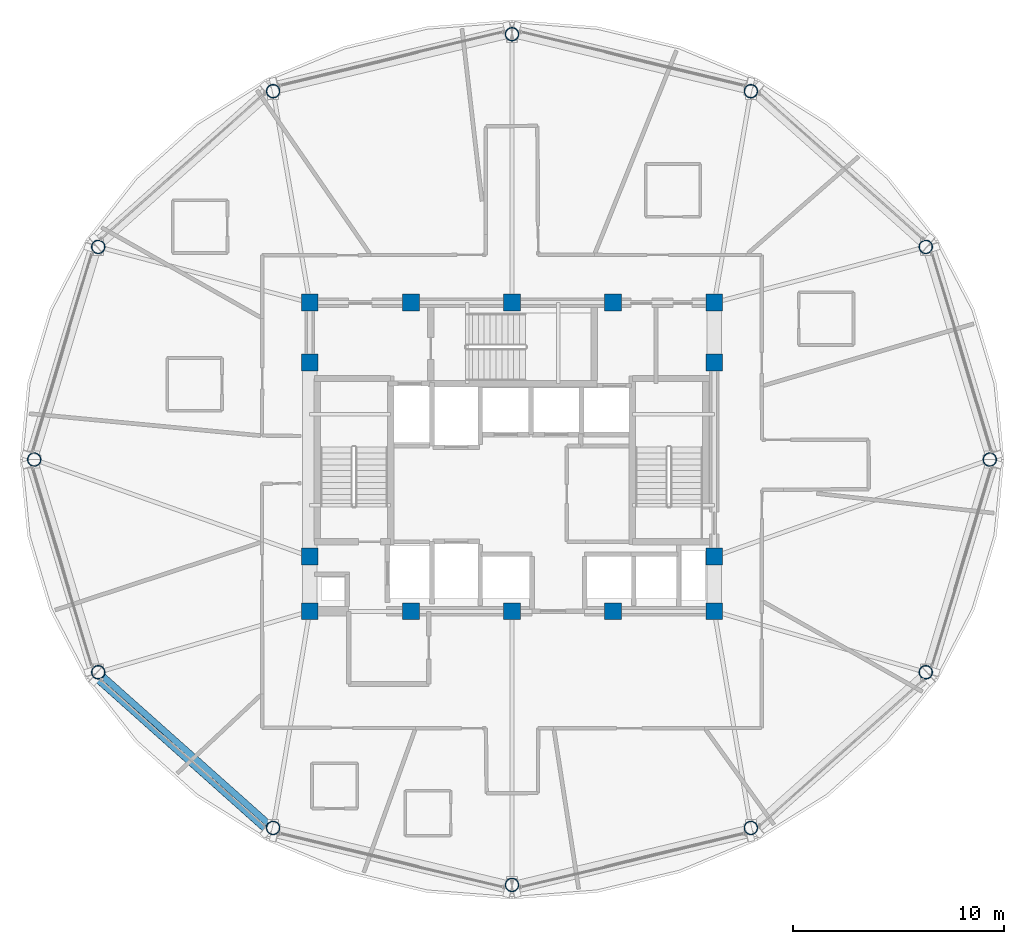
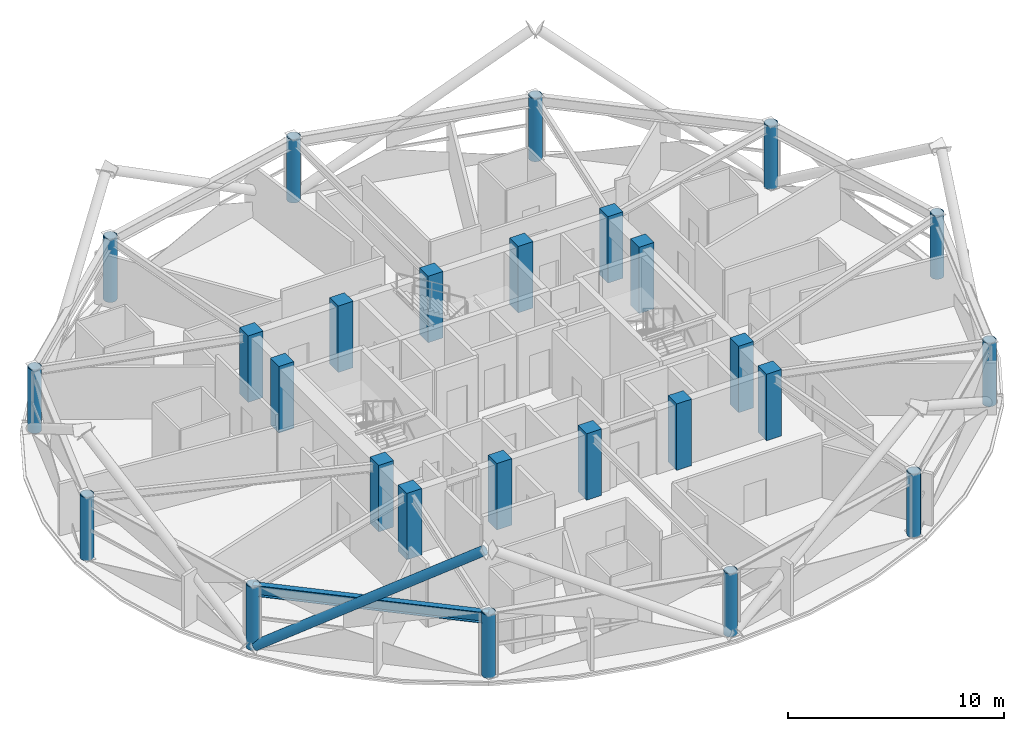
# One storey, part 1 of 30: 26 columns, 1 beam, 1 member.
"""IFC4 building model written with IfcOpenShell, lengths in metres."""

from ifc_helpers import new_model, si_unit, direction, frame, origin, origin_2d, place, context, subcontext, project, spatial, rectangle, hollow_circle, i_section, extrude, material, material_profile, profile_set, type_object, element, save


model = new_model("IFC4")

# Units and contexts
model_context = context("Model", 3, precision=1e-05, world=origin(), true_north=direction((0.0, 1.0)))
body_context = subcontext(model_context, "Body", "Model", "MODEL_VIEW")
ifc_project = project(units=[si_unit("LENGTHUNIT", "METRE"), si_unit("AREAUNIT", "SQUARE_METRE"), si_unit("VOLUMEUNIT", "CUBIC_METRE"), si_unit("PLANEANGLEUNIT", "RADIAN"), si_unit("MASSUNIT", "GRAM", prefix="KILO")], contexts=[model_context])

# Site, building, storey
site_placement = place(None, origin())
site = spatial("IfcSite", under=ifc_project, at=site_placement, CompositionType="ELEMENT")
building_placement = place(site_placement, origin())
building = spatial("IfcBuilding", under=site, at=building_placement, Name="Vantalir Tower", CompositionType="ELEMENT")
storey_placement = place(building_placement, frame((0.0, 0.0, 189.89990234375)))
storey = spatial("IfcBuildingStorey", under=building, at=storey_placement, Name="L47", CompositionType="ELEMENT", Elevation=189.89990234375)

# Columns
ifc_material_1 = material(Name="Concrete C50/60", Category="concrete")
ifc_material_profile_1 = material_profile(ifc_material_1, rectangle(XDim=0.800048828125, YDim=0.800048828125, at=origin_2d()), Name="Concrete C50/60")
ifc_profile_set_1 = profile_set([ifc_material_profile_1], Name="Concrete C50/60")
column_type_1 = type_object("IfcColumnType", Name="COL-CC-800", PredefinedType="COLUMN", material=ifc_profile_set_1)
for number, where, z_axis, x_axis, name in (
    (1, (21.89990234375, 17.800048828125, 0.0), (0.0, 0.0, 1.0), (1.0, 0.0, 0.0), "L47 Core Column CC01"),
    (2, (26.699951171875, 17.800048828125, 0.0), (0.0, 0.0, 1.0), (1.0, 0.0, 0.0), "L47 Core Column CC02"),
    (3, (31.5, 17.800048828125, 0.0), (0.0, 0.0, 1.0), (1.0, 0.0, 0.0), "L47 Core Column CC03"),
    (4, (36.300048828125, 17.800048828125, 0.0), (0.0, 0.0, 1.0), (1.0, 0.0, 0.0), "L47 Core Column CC04"),
    (5, (41.10009765625, 17.800048828125, 0.0), (0.0, 0.0, 1.0), (1.0, 0.0, 0.0), "L47 Core Column CC05"),
    (6, (21.89990234375, 20.39990234375, 0.0), (0.0, 0.0, 1.0), (1.0, 0.0, 0.0), "L47 Core Column CC06"),
    (7, (21.89990234375, 29.60009765625, 0.0), (0.0, 0.0, 1.0), (1.0, 0.0, 0.0), "L47 Core Column CC07"),
    (8, (41.10009765625, 20.39990234375, 0.0), (0.0, 0.0, 1.0), (1.0, 0.0, 0.0), "L47 Core Column CC08"),
    (9, (41.10009765625, 29.60009765625, 0.0), (0.0, 0.0, 1.0), (1.0, 0.0, 0.0), "L47 Core Column CC09"),
    (10, (21.89990234375, 32.449951171875, 0.0), (0.0, 0.0, 1.0), (1.0, 0.0, 0.0), "L47 Core Column CC10"),
    (11, (26.699951171875, 32.449951171875, 0.0), (0.0, 0.0, 1.0), (1.0, 0.0, 0.0), "L47 Core Column CC11"),
    (12, (31.5, 32.449951171875, 0.0), (0.0, 0.0, 1.0), (1.0, 0.0, 0.0), "L47 Core Column CC12"),
    (13, (36.300048828125, 32.449951171875, 0.0), (0.0, 0.0, 1.0), (1.0, 0.0, 0.0), "L47 Core Column CC13"),
    (14, (41.10009765625, 32.449951171875, 0.0), (0.0, 0.0, 1.0), (1.0, 0.0, 0.0), "L47 Core Column CC14"),
):
    element("IfcColumn", number, at=place(storey_placement, frame(where, z_axis=z_axis, x_axis=x_axis)), inside=storey, type_object=column_type_1, Name=name, PredefinedType="COLUMN", context=body_context, shape_type="SweptSolid", body=[
        extrude(rectangle(XDim=0.800048828125, YDim=0.800048828125, at=origin_2d()), origin(), (0.0, 0.0, 1.0), 3.75),
    ])
ifc_material_2 = material(Name="Steel S460", Category="steel")
ifc_material_profile_2 = material_profile(ifc_material_2, hollow_circle(Radius=0.324951171875, WallThickness=0.030029296875, at=origin_2d()), Name="Steel S460")
ifc_profile_set_2 = profile_set([ifc_material_profile_2], Name="Steel S460")
column_type_2 = type_object("IfcColumnType", Name="COL-RC-650", PredefinedType="COLUMN", material=ifc_profile_set_2)
for number, where, z_axis, x_axis, name in (
    (15, (54.176025390625, 25.0, 0.0), (0.0, 0.0, 1.0), (1.0, 0.0, 0.0), "L47 Perimeter Ring Column RC01"),
    (16, (51.137939453125, 35.093994140625, 0.0), (0.0, 0.0, 1.0), (1.0, 0.0, 0.0), "L47 Perimeter Ring Column RC02"),
    (17, (42.837890625, 42.48291015625, 0.0), (0.0, 0.0, 1.0), (1.0, 0.0, 0.0), "L47 Perimeter Ring Column RC03"),
    (18, (31.5, 45.18798828125, 0.0), (0.0, 0.0, 1.0), (1.0, 0.0, 0.0), "L47 Perimeter Ring Column RC04"),
    (19, (20.162109375, 42.48291015625, 0.0), (0.0, 0.0, 1.0), (1.0, 0.0, 0.0), "L47 Perimeter Ring Column RC05"),
    (20, (11.862060546875, 35.093994140625, 0.0), (0.0, 0.0, 1.0), (1.0, 0.0, 0.0), "L47 Perimeter Ring Column RC06"),
    (21, (8.823974609375, 25.0, 0.0), (0.0, 0.0, 1.0), (1.0, 0.0, 0.0), "L47 Perimeter Ring Column RC07"),
    (22, (11.862060546875, 14.906005859375, 0.0), (0.0, 0.0, 1.0), (1.0, 0.0, 0.0), "L47 Perimeter Ring Column RC08"),
    (23, (20.162109375, 7.51708984375, 0.0), (0.0, 0.0, 1.0), (1.0, 0.0, 0.0), "L47 Perimeter Ring Column RC09"),
    (24, (31.5, 4.81201171875, 0.0), (0.0, 0.0, 1.0), (1.0, 0.0, 0.0), "L47 Perimeter Ring Column RC10"),
    (25, (42.837890625, 7.51708984375, 0.0), (0.0, 0.0, 1.0), (1.0, 0.0, 0.0), "L47 Perimeter Ring Column RC11"),
    (26, (51.137939453125, 14.906005859375, 0.0), (0.0, 0.0, 1.0), (1.0, 0.0, 0.0), "L47 Perimeter Ring Column RC12"),
):
    element("IfcColumn", number, at=place(storey_placement, frame(where, z_axis=z_axis, x_axis=x_axis)), inside=storey, type_object=column_type_2, Name=name, PredefinedType="COLUMN", context=body_context, shape_type="SweptSolid", body=[
        extrude(hollow_circle(Radius=0.324951171875, WallThickness=0.030029296875, at=origin_2d()), origin(), (0.0, 0.0, 1.0), 3.570068359375),
    ])

# Beam
ifc_material_profile_3 = material_profile(ifc_material_2, i_section(OverallWidth=0.306884765625, OverallDepth=0.6201171875, WebThickness=0.01416015625, FlangeThickness=0.023681640625, at=origin_2d()), Name="Steel S460")
ifc_profile_set_3 = profile_set([ifc_material_profile_3], Name="Steel S460")
beam_type = type_object("IfcBeamType", Name="BM-RG-610x305", PredefinedType="USERDEFINED", material=ifc_profile_set_3)
beam_placement = place(storey_placement, frame((11.862060546875, 14.906005859375, 3.260009765625), z_axis=(0.746913346666, -0.664921388265, 0.0), x_axis=(0.664921388265, 0.746913346666, 0.0)))
element("IfcBeam", 27, at=beam_placement, inside=storey, type_object=beam_type, Name="L47 Circumferential Ring Girder 08", ObjectType="GIRDER", PredefinedType="USERDEFINED", context=body_context, shape_type="SweptSolid", body=[
    extrude(i_section(OverallWidth=0.306884765625, OverallDepth=0.6201171875, WebThickness=0.01416015625, FlangeThickness=0.023681640625, at=origin_2d()), origin(), (0.0, 0.0, 1.0), 11.112548828125),
])

# Member
ifc_material_profile_4 = material_profile(ifc_material_2, hollow_circle(Radius=0.25, WallThickness=0.031982421875, at=origin_2d()), Name="Steel S460")
ifc_profile_set_4 = profile_set([ifc_material_profile_4], Name="Steel S460")
member_type = type_object("IfcMemberType", Name="MEM-DB-500x32", PredefinedType="BRACE", material=ifc_profile_set_4)
member_placement = place(storey_placement, frame((11.8349609375, 14.68798828125, 0.197998046875), z_axis=(0.629199562218, -0.560705573136, 0.53825381667), x_axis=(0.665302591235, 0.746573815571, 0.0)))
element("IfcMember", 28, at=member_placement, inside=storey, type_object=member_type, Name="L47 Perimeter S460 Diagrid Brace R22L", PredefinedType="BRACE", context=body_context, shape_type="SweptSolid", body=[
    extrude(hollow_circle(Radius=0.25, WallThickness=0.031982421875, at=origin_2d()), origin(), (0.0, 0.0, 1.0), 12.864013671875),
])

save(model, "model.ifc")
